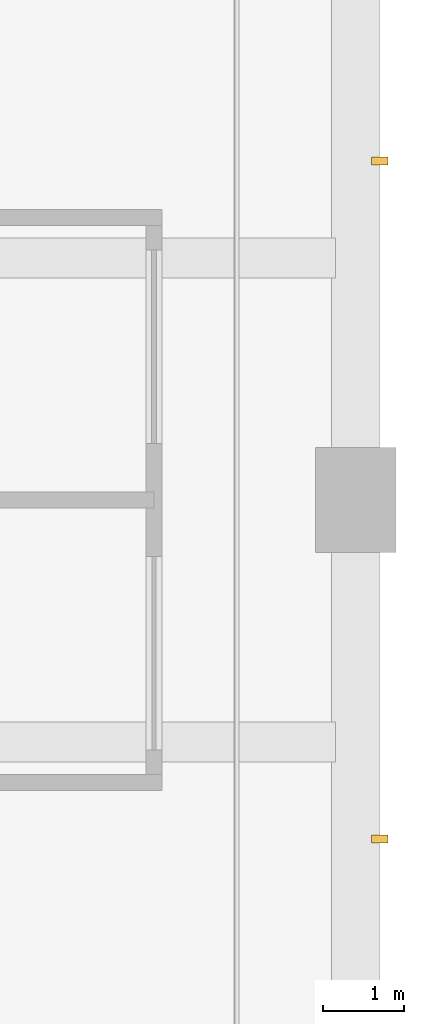
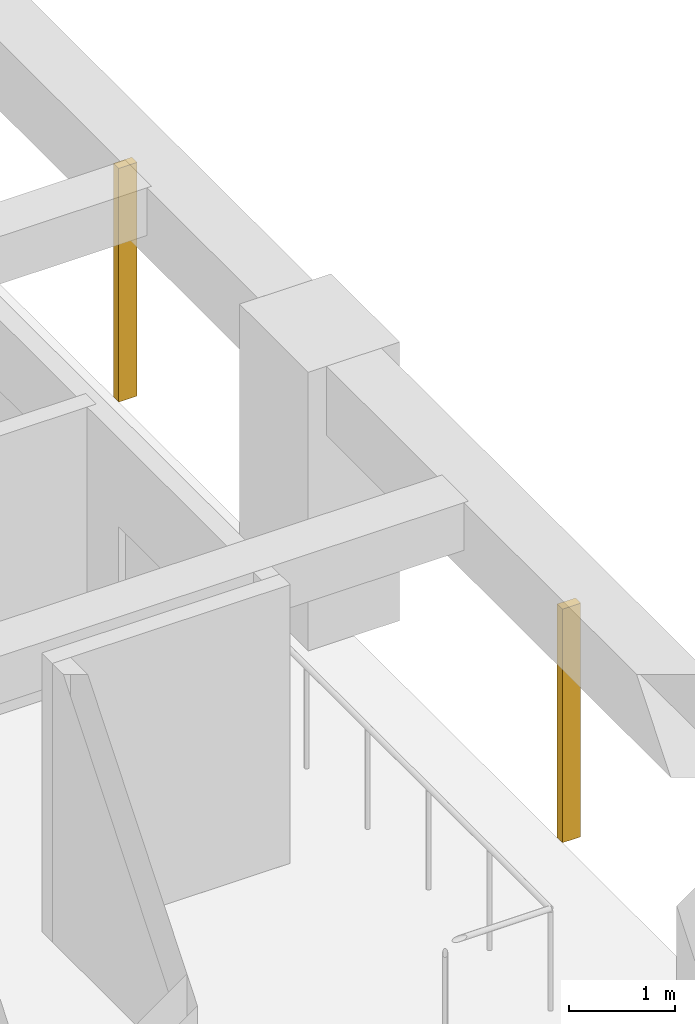
# One storey, part 15 of 16: 2 shading devices.
"""IFC4 building model written with IfcOpenShell, lengths in metres."""

from ifc_helpers import new_model, si_unit, direction, frame, origin, origin_2d, place, context, subcontext, project, spatial, rectangle, extrude, material, material_profile, profile_set, type_object, element, save


model = new_model("IFC4")

# Units and contexts
model_context = context("Model", 3, precision=1e-05, world=origin(), true_north=direction((0.0, 1.0)))
body_context = subcontext(model_context, "Body", "Model", "MODEL_VIEW")
ifc_project = project(units=[si_unit("LENGTHUNIT", "METRE"), si_unit("AREAUNIT", "SQUARE_METRE"), si_unit("VOLUMEUNIT", "CUBIC_METRE"), si_unit("PLANEANGLEUNIT", "RADIAN"), si_unit("MASSUNIT", "GRAM", prefix="KILO")], contexts=[model_context])

# Site, building, storey
site_placement = place(None, origin())
site = spatial("IfcSite", under=ifc_project, at=site_placement, CompositionType="ELEMENT")
building_placement = place(site_placement, origin())
building = spatial("IfcBuilding", under=site, at=building_placement, Name="Vermilion Gate Residences", CompositionType="ELEMENT")
storey_placement = place(building_placement, frame((0.0, 0.0, 126.699951171875)))
storey = spatial("IfcBuildingStorey", under=building, at=storey_placement, Name="L32", CompositionType="ELEMENT", Elevation=126.699951171875)

# Shading devices
ifc_material = material(Name="Extruded terracotta", Category="masonry")
ifc_material_profile = material_profile(ifc_material, rectangle(XDim=0.199951171875, YDim=0.10009765625, at=origin_2d()), Name="BAGUETTE 100 X 200")
ifc_profile_set = profile_set([ifc_material_profile], Name="Extruded terracotta")
shading_device_type = type_object("IfcShadingDeviceType", Name="TERRACOTTA BAGUETTE 100 X 200", PredefinedType="JALOUSIE", material=ifc_profile_set)
for number, where, z_axis, x_axis, name in (
    (1, (67.5, 12.60009765625, -0.280029296875), (0.0, 0.0, 1.0), (-1.0, 0.0, 0.0), "BAGUETTE"),
    (2, (67.5, 21.0, -0.280029296875), (0.0, 0.0, 1.0), (-1.0, 0.0, 0.0), "BAGUETTE"),
):
    element("IfcShadingDevice", number, at=place(storey_placement, frame(where, z_axis=z_axis, x_axis=x_axis)), inside=storey, type_object=shading_device_type, Name=name, PredefinedType="JALOUSIE", context=body_context, shape_type="SweptSolid", body=[
        extrude(rectangle(XDim=0.199951171875, YDim=0.10009765625, at=origin_2d()), origin(), (0.0, 0.0, 1.0), 2.7001953125),
    ])

save(model, "model.ifc")
